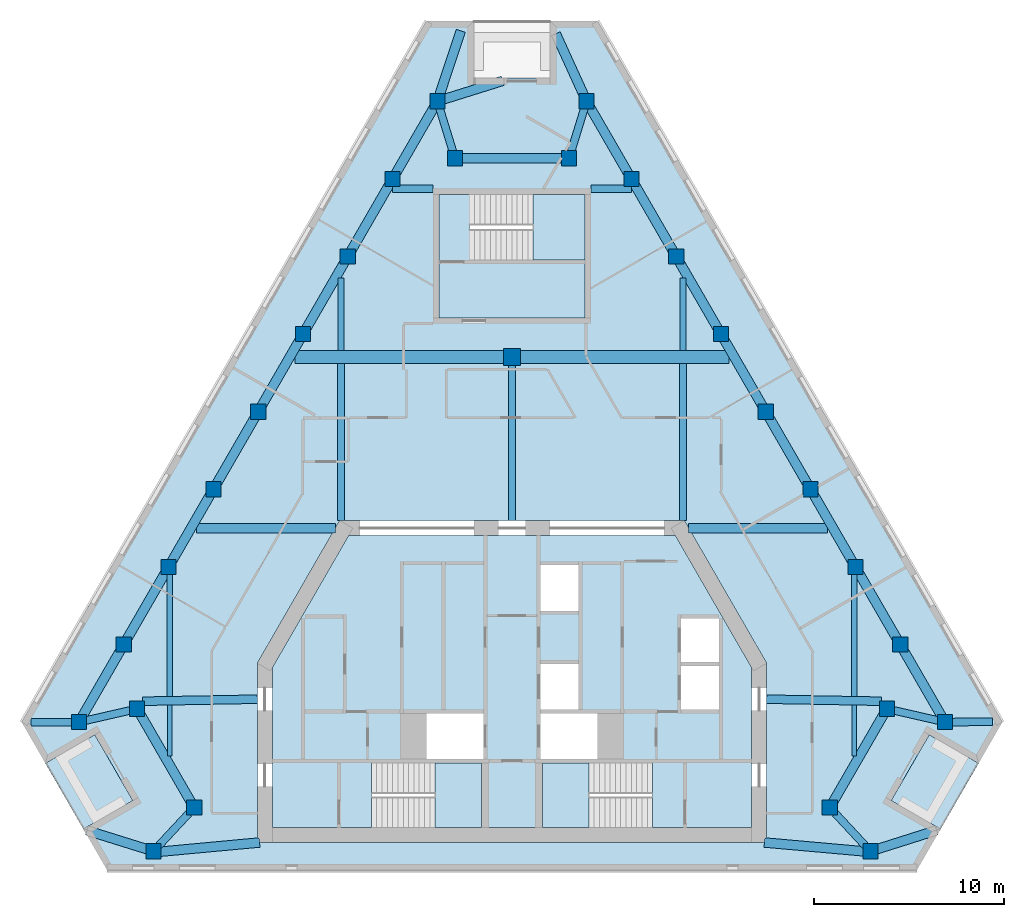
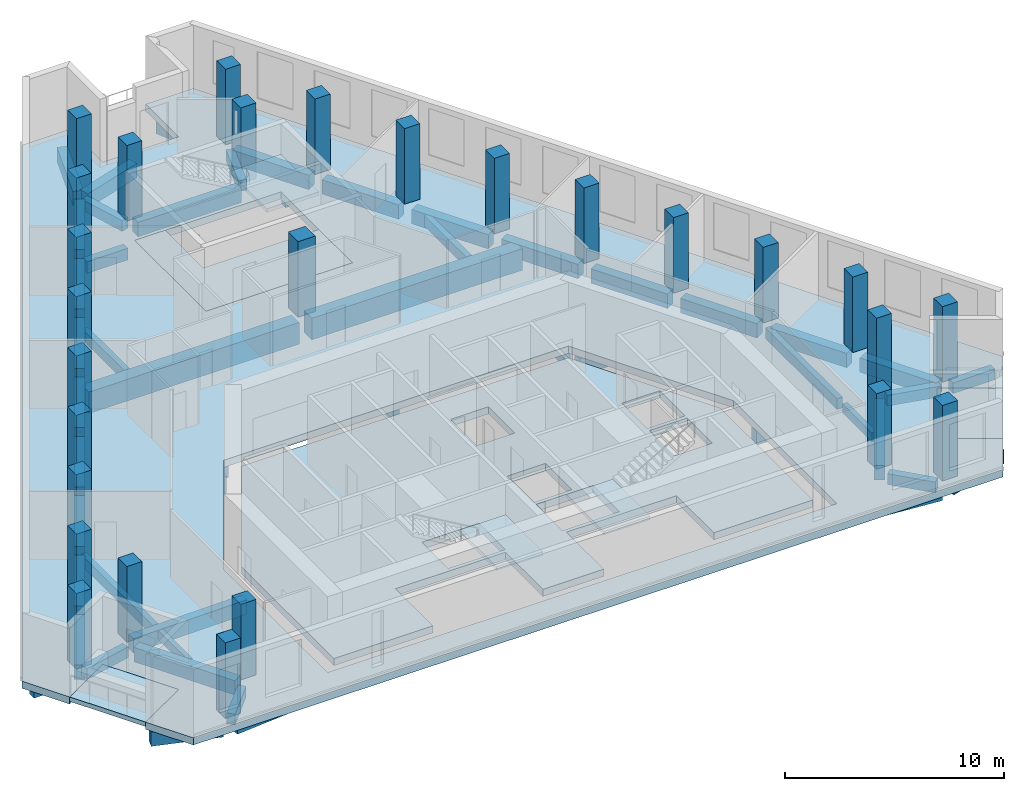
# One storey, part 1 of 8: 51 beams, 27 columns, 8 slabs, 3 elements without a shape of their own.
"""IFC4 building model written with IfcOpenShell, lengths in metres."""

from ifc_helpers import new_model, si_unit, direction, frame, origin, origin_2d, place, context, subcontext, project, spatial, polyline, rectangle, outline, extrude, material, layer, layer_set, material_profile, profile_set, type_object, element, aggregate, save


model = new_model("IFC4")

# Units and contexts
model_context = context("Model", 3, precision=1e-05, world=origin(), true_north=direction((0.0, 1.0)))
body_context = subcontext(model_context, "Body", "Model", "MODEL_VIEW")
ifc_project = project(units=[si_unit("LENGTHUNIT", "METRE"), si_unit("AREAUNIT", "SQUARE_METRE"), si_unit("VOLUMEUNIT", "CUBIC_METRE"), si_unit("PLANEANGLEUNIT", "RADIAN"), si_unit("MASSUNIT", "GRAM", prefix="KILO")], contexts=[model_context])

# Site, building, storey
site_placement = place(None, origin())
site = spatial("IfcSite", under=ifc_project, at=site_placement, CompositionType="ELEMENT")
building_placement = place(site_placement, origin())
building = spatial("IfcBuilding", under=site, at=building_placement, Name="Fogline Exchange Tower", CompositionType="ELEMENT")
storey_placement = place(building_placement, frame((0.0, 0.0, 270.89990234375)))
storey = spatial("IfcBuildingStorey", under=building, at=storey_placement, Name="L61", CompositionType="ELEMENT", Elevation=270.89990234375)

# Columns
ifc_material_1 = material(Name="Concrete C60", Category="concrete")
ifc_material_profile_1 = material_profile(ifc_material_1, rectangle(XDim=0.89990234375, YDim=0.89990234375, at=origin_2d()), Name="RC 900x900")
ifc_profile_set_1 = profile_set([ifc_material_profile_1], Name="Concrete C60")
column_type_1 = type_object("IfcColumnType", Name="C06", PredefinedType="COLUMN", material=ifc_profile_set_1)
column_placement = place(storey_placement, frame((0.0, 27.0, 0.0), z_axis=(0.0, 0.0, 1.0), x_axis=(1.0, 0.0, 0.0)))
element("IfcColumn", 1, at=column_placement, inside=storey, type_object=column_type_1, Name="IC-0-27", PredefinedType="COLUMN", context=body_context, shape_type="SweptSolid", body=[
    extrude(rectangle(XDim=0.89990234375, YDim=0.89990234375, at=origin_2d()), origin(), (0.0, 0.0, 1.0), 4.2001953125),
])
ifc_material_profile_2 = material_profile(ifc_material_1, rectangle(XDim=0.800048828125, YDim=0.800048828125, at=origin_2d()), Name="RC 800x800")
ifc_profile_set_2 = profile_set([ifc_material_profile_2], Name="Concrete C60")
column_type_2 = type_object("IfcColumnType", Name="C07", PredefinedType="COLUMN", material=ifc_profile_set_2)
for number, where, z_axis, x_axis, name in (
    (2, (-22.7802734375, 7.794189453125, 0.0), (0.0, 0.0, 1.0), (1.0, 0.0, 0.0), "SW-a"),
    (3, (-19.720947265625, 8.4951171875, 0.0), (0.0, 0.0, 1.0), (1.0, 0.0, 0.0), "SW-p4"),
    (4, (-16.720947265625, 3.299072265625, 0.0), (0.0, 0.0, 1.0), (1.0, 0.0, 0.0), "SW-p3"),
    (5, (-18.857666015625, 1.0, 0.0), (0.0, 0.0, 1.0), (1.0, 0.0, 0.0), "SW-b"),
    (6, (18.857666015625, 1.0, 0.0), (0.0, 0.0, 1.0), (1.0, 0.0, 0.0), "SE-a"),
    (7, (16.720947265625, 3.299072265625, 0.0), (0.0, 0.0, 1.0), (1.0, 0.0, 0.0), "SE-p4"),
    (8, (19.720947265625, 8.4951171875, 0.0), (0.0, 0.0, 1.0), (1.0, 0.0, 0.0), "SE-p3"),
    (9, (22.7802734375, 7.794189453125, 0.0), (0.0, 0.0, 1.0), (1.0, 0.0, 0.0), "SE-b"),
    (10, (20.423095703125, 11.876953125, 0.0), (0.0, 0.0, 1.0), (1.0, 0.0, 0.0), "E1"),
    (11, (18.06591796875, 15.959716796875, 0.0), (0.0, 0.0, 1.0), (1.0, 0.0, 0.0), "E2"),
    (12, (15.708740234375, 20.04248046875, 0.0), (0.0, 0.0, 1.0), (1.0, 0.0, 0.0), "E3"),
    (13, (13.3515625, 24.12548828125, 0.0), (0.0, 0.0, 1.0), (1.0, 0.0, 0.0), "E4"),
    (14, (10.994384765625, 28.208251953125, 0.0), (0.0, 0.0, 1.0), (1.0, 0.0, 0.0), "E5"),
    (15, (8.63720703125, 32.291015625, 0.0), (0.0, 0.0, 1.0), (1.0, 0.0, 0.0), "E6"),
    (16, (6.27978515625, 36.373779296875, 0.0), (0.0, 0.0, 1.0), (1.0, 0.0, 0.0), "E7"),
    (17, (3.922607421875, 40.456787109375, 0.0), (0.0, 0.0, 1.0), (1.0, 0.0, 0.0), "N-a"),
    (18, (3.0, 37.456787109375, 0.0), (0.0, 0.0, 1.0), (1.0, 0.0, 0.0), "N-p4"),
    (19, (-3.0, 37.456787109375, 0.0), (0.0, 0.0, 1.0), (1.0, 0.0, 0.0), "N-p3"),
    (20, (-3.922607421875, 40.456787109375, 0.0), (0.0, 0.0, 1.0), (1.0, 0.0, 0.0), "N-b"),
    (21, (-6.27978515625, 36.373779296875, 0.0), (0.0, 0.0, 1.0), (1.0, 0.0, 0.0), "W1"),
    (22, (-8.63720703125, 32.291015625, 0.0), (0.0, 0.0, 1.0), (1.0, 0.0, 0.0), "W2"),
    (23, (-10.994384765625, 28.208251953125, 0.0), (0.0, 0.0, 1.0), (1.0, 0.0, 0.0), "W3"),
    (24, (-13.3515625, 24.12548828125, 0.0), (0.0, 0.0, 1.0), (1.0, 0.0, 0.0), "W4"),
    (25, (-15.708740234375, 20.04248046875, 0.0), (0.0, 0.0, 1.0), (1.0, 0.0, 0.0), "W5"),
    (26, (-18.06591796875, 15.959716796875, 0.0), (0.0, 0.0, 1.0), (1.0, 0.0, 0.0), "W6"),
    (27, (-20.423095703125, 11.876953125, 0.0), (0.0, 0.0, 1.0), (1.0, 0.0, 0.0), "W7"),
):
    element("IfcColumn", number, at=place(storey_placement, frame(where, z_axis=z_axis, x_axis=x_axis)), inside=storey, type_object=column_type_2, Name=name, PredefinedType="COLUMN", context=body_context, shape_type="SweptSolid", body=[
        extrude(rectangle(XDim=0.800048828125, YDim=0.800048828125, at=origin_2d()), origin(), (0.0, 0.0, 1.0), 4.2001953125),
    ])

# Beams
ifc_material_2 = material(Name="Concrete C40", Category="concrete")
ifc_material_profile_3 = material_profile(ifc_material_2, rectangle(XDim=0.300048828125, YDim=0.60009765625, at=origin_2d()), Name="RC 300x600")
ifc_profile_set_3 = profile_set([ifc_material_profile_3], Name="Concrete C40")
beam_type_1 = type_object("IfcBeamType", Name="B06", PredefinedType="BEAM", material=ifc_profile_set_3)
beam_1_placement = place(storey_placement, frame((-18.0, 9.1435546875, -0.699951171875), z_axis=(0.0, 1.0, 0.0), x_axis=(-1.0, 0.0, 0.0)))
element("IfcBeam", 28, at=beam_1_placement, inside=storey, type_object=beam_type_1, Name="SB002", PredefinedType="BEAM", context=body_context, shape_type="SweptSolid", body=[
    extrude(rectangle(XDim=0.300048828125, YDim=0.60009765625, at=origin_2d()), origin(), (0.0, 0.0, 1.0), 6.5361328125),
])
for number, where, z_axis, x_axis, name in (
    (29, (-9.0, 27.35009765625, -0.699951171875), (0.0, 1.0, 0.0), (-1.0, 0.0, 0.0), "SB004"),
    (30, (9.0, 27.35009765625, -0.699951171875), (0.0, 1.0, 0.0), (-1.0, 0.0, 0.0), "SB007"),
):
    element("IfcBeam", number, at=place(storey_placement, frame(where, z_axis=z_axis, x_axis=x_axis)), inside=storey, type_object=beam_type_1, Name=name, PredefinedType="BEAM", context=body_context, shape_type="SweptSolid", body=[
        extrude(rectangle(XDim=0.300048828125, YDim=0.60009765625, at=origin_2d()), origin(), (0.0, 0.0, 1.0), 3.812255859375),
    ])
beam_2_placement = place(storey_placement, frame((18.0, 9.1435546875, -0.699951171875), z_axis=(0.0, 1.0, 0.0), x_axis=(-1.0, 0.0, 0.0)))
element("IfcBeam", 31, at=beam_2_placement, inside=storey, type_object=beam_type_1, Name="SB009", PredefinedType="BEAM", context=body_context, shape_type="SweptSolid", body=[
    extrude(rectangle(XDim=0.300048828125, YDim=0.60009765625, at=origin_2d()), origin(), (0.0, 0.0, 1.0), 6.5361328125),
])
ifc_material_profile_4 = material_profile(ifc_material_2, rectangle(XDim=0.25, YDim=0.5, at=origin_2d()), Name="RC 250x500")
ifc_profile_set_4 = profile_set([ifc_material_profile_4], Name="Concrete C40")
beam_type_2 = type_object("IfcBeamType", Name="B08", PredefinedType="BEAM", material=ifc_profile_set_4)
for number, where, z_axis, x_axis, name in (
    (32, (-18.0, 6.014404296875, -0.64990234375), (0.0, 1.0, 0.0), (-1.0, 0.0, 0.0), "SB001"),
    (33, (18.0, 6.014404296875, -0.64990234375), (0.0, 1.0, 0.0), (-1.0, 0.0, 0.0), "SB008"),
):
    element("IfcBeam", number, at=place(storey_placement, frame(where, z_axis=z_axis, x_axis=x_axis)), inside=storey, type_object=beam_type_2, Name=name, PredefinedType="BEAM", context=body_context, shape_type="SweptSolid", body=[
        extrude(rectangle(XDim=0.25, YDim=0.5, at=origin_2d()), origin(), (0.0, 0.0, 1.0), 2.67919921875),
    ])
ifc_material_profile_5 = material_profile(ifc_material_2, rectangle(XDim=0.5, YDim=0.800048828125, at=origin_2d()), Name="RC 500x800")
ifc_profile_set_5 = profile_set([ifc_material_profile_5], Name="Concrete C40")
beam_type_3 = type_object("IfcBeamType", Name="B10", PredefinedType="BEAM", material=ifc_profile_set_5)
beam_3_placement = place(storey_placement, frame((-19.550048828125, 8.19921875, -0.7998046875), z_axis=(0.500011318533, -0.866018868928, 0.0), x_axis=(0.866018868928, 0.500011318533, 0.0)))
element("IfcBeam", 34, at=beam_3_placement, inside=storey, type_object=beam_type_3, Name="RB002", PredefinedType="BEAM", context=body_context, shape_type="SweptSolid", body=[
    extrude(rectangle(XDim=0.5, YDim=0.800048828125, at=origin_2d()), origin(), (0.0, 0.0, 1.0), 5.31640625),
])
beam_4_placement = place(storey_placement, frame((-18.5771484375, 0.970703125, -0.7998046875), z_axis=(0.995739815684, 0.092207480512, 0.0), x_axis=(-0.092207480512, 0.995739815684, 0.0)))
element("IfcBeam", 35, at=beam_4_placement, inside=storey, type_object=beam_type_3, Name="RB004", PredefinedType="BEAM", context=body_context, shape_type="SweptSolid", body=[
    extrude(rectangle(XDim=0.5, YDim=0.800048828125, at=origin_2d()), origin(), (0.0, 0.0, 1.0), 5.3193359375),
])
beam_5_placement = place(storey_placement, frame((13.280517578125, 1.460693359375, -0.7998046875), z_axis=(0.996066339578, -0.088610649246, 0.0), x_axis=(0.088610649246, 0.996066339578, 0.0)))
element("IfcBeam", 36, at=beam_5_placement, inside=storey, type_object=beam_type_3, Name="RB005", PredefinedType="BEAM", context=body_context, shape_type="SweptSolid", body=[
    extrude(rectangle(XDim=0.5, YDim=0.800048828125, at=origin_2d()), origin(), (0.0, 0.0, 1.0), 5.317626953125),
])
beam_6_placement = place(storey_placement, frame((16.891845703125, 3.59521484375, -0.7998046875), z_axis=(0.500011318533, 0.866018868928, 0.0), x_axis=(-0.866018868928, 0.500011318533, 0.0)))
element("IfcBeam", 37, at=beam_6_placement, inside=storey, type_object=beam_type_3, Name="RB007", PredefinedType="BEAM", context=body_context, shape_type="SweptSolid", body=[
    extrude(rectangle(XDim=0.5, YDim=0.800048828125, at=origin_2d()), origin(), (0.0, 0.0, 1.0), 5.31640625),
])
for number, where, z_axis, x_axis, name in (
    (38, (22.609375, 8.09033203125, -0.7998046875), (-0.500002082887, 0.866024201226, 0.0), (-0.866024201226, -0.500002082887, 0.0), "RB009"),
    (39, (20.252197265625, 12.173095703125, -0.7998046875), (-0.500002082887, 0.866024201226, 0.0), (-0.866024201226, -0.500002082887, 0.0), "RB010"),
    (40, (17.89501953125, 16.255859375, -0.7998046875), (-0.500002082887, 0.866024201226, 0.0), (-0.866024201226, -0.500002082887, 0.0), "RB011"),
):
    element("IfcBeam", number, at=place(storey_placement, frame(where, z_axis=z_axis, x_axis=x_axis)), inside=storey, type_object=beam_type_3, Name=name, PredefinedType="BEAM", context=body_context, shape_type="SweptSolid", body=[
        extrude(rectangle(XDim=0.5, YDim=0.800048828125, at=origin_2d()), origin(), (0.0, 0.0, 1.0), 4.03076171875),
    ])
for number, where, z_axis, x_axis, name in (
    (41, (15.53759765625, 20.338623046875, -0.7998046875), (-0.499956653746, 0.866050428309, 0.0), (-0.866050428309, -0.499956653746, 0.0), "RB012"),
    (42, (13.180419921875, 24.42138671875, -0.7998046875), (-0.499956653746, 0.866050428309, 0.0), (-0.866050428309, -0.499956653746, 0.0), "RB013"),
    (43, (10.8232421875, 28.50439453125, -0.7998046875), (-0.499956653746, 0.866050428309, 0.0), (-0.866050428309, -0.499956653746, 0.0), "RB014"),
):
    element("IfcBeam", number, at=place(storey_placement, frame(where, z_axis=z_axis, x_axis=x_axis)), inside=storey, type_object=beam_type_3, Name=name, PredefinedType="BEAM", context=body_context, shape_type="SweptSolid", body=[
        extrude(rectangle(XDim=0.5, YDim=0.800048828125, at=origin_2d()), origin(), (0.0, 0.0, 1.0), 4.030517578125),
    ])
for number, where, z_axis, x_axis, name in (
    (44, (8.466064453125, 32.587158203125, -0.7998046875), (-0.500002082887, 0.866024201226, 0.0), (-0.866024201226, -0.500002082887, 0.0), "RB015"),
    (45, (6.10888671875, 36.669921875, -0.7998046875), (-0.500002082887, 0.866024201226, 0.0), (-0.866024201226, -0.500002082887, 0.0), "RB016"),
):
    element("IfcBeam", number, at=place(storey_placement, frame(where, z_axis=z_axis, x_axis=x_axis)), inside=storey, type_object=beam_type_3, Name=name, PredefinedType="BEAM", context=body_context, shape_type="SweptSolid", body=[
        extrude(rectangle(XDim=0.5, YDim=0.800048828125, at=origin_2d()), origin(), (0.0, 0.0, 1.0), 4.03076171875),
    ])
beam_7_placement = place(storey_placement, frame((2.719970703125, 37.456787109375, -0.7998046875), z_axis=(-1.0, 0.0, 0.0), x_axis=(0.0, -1.0, 0.0)))
element("IfcBeam", 46, at=beam_7_placement, inside=storey, type_object=beam_type_3, Name="RB018", PredefinedType="BEAM", context=body_context, shape_type="SweptSolid", body=[
    extrude(rectangle(XDim=0.5, YDim=0.800048828125, at=origin_2d()), origin(), (0.0, 0.0, 1.0), 5.43994140625),
])
for number, where, z_axis, x_axis, name in (
    (47, (-4.093505859375, 40.16064453125, -0.7998046875), (-0.500002082887, -0.866024201226, 0.0), (0.866024201226, -0.500002082887, 0.0), "RB020"),
    (48, (-6.45068359375, 36.077880859375, -0.7998046875), (-0.500002082887, -0.866024201226, 0.0), (0.866024201226, -0.500002082887, 0.0), "RB021"),
):
    element("IfcBeam", number, at=place(storey_placement, frame(where, z_axis=z_axis, x_axis=x_axis)), inside=storey, type_object=beam_type_3, Name=name, PredefinedType="BEAM", context=body_context, shape_type="SweptSolid", body=[
        extrude(rectangle(XDim=0.5, YDim=0.800048828125, at=origin_2d()), origin(), (0.0, 0.0, 1.0), 4.03076171875),
    ])
for number, where, z_axis, x_axis, name in (
    (49, (-8.80810546875, 31.9951171875, -0.7998046875), (-0.499956653746, -0.866050428309, 0.0), (0.866050428309, -0.499956653746, 0.0), "RB022"),
    (50, (-11.165283203125, 27.912109375, -0.7998046875), (-0.499956653746, -0.866050428309, 0.0), (0.866050428309, -0.499956653746, 0.0), "RB023"),
    (51, (-13.5224609375, 23.829345703125, -0.7998046875), (-0.499956653746, -0.866050428309, 0.0), (0.866050428309, -0.499956653746, 0.0), "RB024"),
):
    element("IfcBeam", number, at=place(storey_placement, frame(where, z_axis=z_axis, x_axis=x_axis)), inside=storey, type_object=beam_type_3, Name=name, PredefinedType="BEAM", context=body_context, shape_type="SweptSolid", body=[
        extrude(rectangle(XDim=0.5, YDim=0.800048828125, at=origin_2d()), origin(), (0.0, 0.0, 1.0), 4.030517578125),
    ])
for number, where, z_axis, x_axis, name in (
    (52, (-15.879638671875, 19.74658203125, -0.7998046875), (-0.500002082887, -0.866024201226, 0.0), (0.866024201226, -0.500002082887, 0.0), "RB025"),
    (53, (-18.23681640625, 15.663818359375, -0.7998046875), (-0.500002082887, -0.866024201226, 0.0), (0.866024201226, -0.500002082887, 0.0), "RB026"),
    (54, (-20.593994140625, 11.5810546875, -0.7998046875), (-0.500002082887, -0.866024201226, 0.0), (0.866024201226, -0.500002082887, 0.0), "RB027"),
):
    element("IfcBeam", number, at=place(storey_placement, frame(where, z_axis=z_axis, x_axis=x_axis)), inside=storey, type_object=beam_type_3, Name=name, PredefinedType="BEAM", context=body_context, shape_type="SweptSolid", body=[
        extrude(rectangle(XDim=0.5, YDim=0.800048828125, at=origin_2d()), origin(), (0.0, 0.0, 1.0), 4.03076171875),
    ])
beam_8_placement = place(storey_placement, frame((3.790283203125, 40.747314453125, -0.7998046875), z_axis=(-0.414547672788, 0.910027596827, 0.0), x_axis=(-0.910027596827, -0.414547672788, 0.0)))
element("IfcBeam", 55, at=beam_8_placement, inside=storey, type_object=beam_type_3, Name="SP028", PredefinedType="BEAM", context=body_context, shape_type="SweptSolid", body=[
    extrude(rectangle(XDim=0.5, YDim=0.800048828125, at=origin_2d()), origin(), (0.0, 0.0, 1.0), 3.580810546875),
])
beam_9_placement = place(storey_placement, frame((-3.827880859375, 40.742919921875, -0.7998046875), z_axis=(0.314884052228, 0.949130145793, 0.0), x_axis=(-0.949130145793, 0.314884052228, 0.0)))
element("IfcBeam", 56, at=beam_9_placement, inside=storey, type_object=beam_type_3, Name="SP029", PredefinedType="BEAM", context=body_context, shape_type="SweptSolid", body=[
    extrude(rectangle(XDim=0.5, YDim=0.800048828125, at=origin_2d()), origin(), (0.0, 0.0, 1.0), 3.598388671875),
])
beam_10_placement = place(storey_placement, frame((19.143310546875, 1.09033203125, -0.7998046875), z_axis=(0.953330716542, 0.301928045893, 0.0), x_axis=(-0.301928045893, 0.953330716542, 0.0)))
element("IfcBeam", 57, at=beam_10_placement, inside=storey, type_object=beam_type_3, Name="SP030", PredefinedType="BEAM", context=body_context, shape_type="SweptSolid", body=[
    extrude(rectangle(XDim=0.5, YDim=0.800048828125, at=origin_2d()), origin(), (0.0, 0.0, 1.0), 3.358154296875),
])
beam_11_placement = place(storey_placement, frame((-19.14306640625, 1.089111328125, -0.7998046875), z_axis=(-0.95464851982, 0.297735123231, 0.0), x_axis=(-0.297735123231, -0.95464851982, 0.0)))
element("IfcBeam", 58, at=beam_11_placement, inside=storey, type_object=beam_type_3, Name="SP031", PredefinedType="BEAM", context=body_context, shape_type="SweptSolid", body=[
    extrude(rectangle(XDim=0.5, YDim=0.800048828125, at=origin_2d()), origin(), (0.0, 0.0, 1.0), 3.37353515625),
])
beam_12_placement = place(storey_placement, frame((-3.63720703125, 40.546142578125, -0.7998046875), z_axis=(0.954270342063, 0.298945002063, 0.0), x_axis=(-0.298945002063, 0.954270342063, 0.0)))
element("IfcBeam", 59, at=beam_12_placement, inside=storey, type_object=beam_type_3, Name="SP034", PredefinedType="BEAM", context=body_context, shape_type="SweptSolid", body=[
    extrude(rectangle(XDim=0.5, YDim=0.800048828125, at=origin_2d()), origin(), (0.0, 0.0, 1.0), 3.298583984375),
])
ifc_material_profile_6 = material_profile(ifc_material_2, rectangle(XDim=0.39990234375, YDim=0.60009765625, at=origin_2d()), Name="RC 400x600")
ifc_profile_set_6 = profile_set([ifc_material_profile_6], Name="Concrete C40")
beam_type_4 = type_object("IfcBeamType", Name="B11", PredefinedType="BEAM", material=ifc_profile_set_6)
beam_13_placement = place(storey_placement, frame((-22.497314453125, 7.859130859375, -0.699951171875), z_axis=(0.974742274944, 0.223332705705, 0.0), x_axis=(-0.223332705705, 0.974742274944, 0.0)))
element("IfcBeam", 60, at=beam_13_placement, inside=storey, type_object=beam_type_4, Name="RB001", PredefinedType="BEAM", context=body_context, shape_type="SweptSolid", body=[
    extrude(rectangle(XDim=0.39990234375, YDim=0.60009765625, at=origin_2d()), origin(), (0.0, 0.0, 1.0), 2.55810546875),
])
for number, where, z_axis, x_axis, name in (
    (61, (-17.010986328125, 2.98681640625, -0.699951171875), (-0.680795043466, -0.732473964583, 0.0), (0.732473964583, -0.680795043466, 0.0), "RB003"),
    (62, (18.567626953125, 1.31201171875, -0.699951171875), (-0.680795043466, 0.732473964583, 0.0), (-0.732473964583, -0.680795043466, 0.0), "RB006"),
):
    element("IfcBeam", number, at=place(storey_placement, frame(where, z_axis=z_axis, x_axis=x_axis)), inside=storey, type_object=beam_type_4, Name=name, PredefinedType="BEAM", context=body_context, shape_type="SweptSolid", body=[
        extrude(rectangle(XDim=0.39990234375, YDim=0.60009765625, at=origin_2d()), origin(), (0.0, 0.0, 1.0), 2.28662109375),
    ])
beam_14_placement = place(storey_placement, frame((20.00390625, 8.430419921875, -0.699951171875), z_axis=(0.974742274944, -0.223332705705, 0.0), x_axis=(0.223332705705, 0.974742274944, 0.0)))
element("IfcBeam", 63, at=beam_14_placement, inside=storey, type_object=beam_type_4, Name="RB008", PredefinedType="BEAM", context=body_context, shape_type="SweptSolid", body=[
    extrude(rectangle(XDim=0.39990234375, YDim=0.60009765625, at=origin_2d()), origin(), (0.0, 0.0, 1.0), 2.55810546875),
])
for number, where, z_axis, x_axis, name in (
    (64, (3.8349609375, 40.17138671875, -0.699951171875), (-0.294011603251, -0.955801850361, 0.0), (0.955801850361, -0.294011603251, 0.0), "RB017"),
    (65, (-3.087646484375, 37.741943359375, -0.699951171875), (-0.294011603251, 0.955801850361, 0.0), (-0.955801850361, -0.294011603251, 0.0), "RB019"),
):
    element("IfcBeam", number, at=place(storey_placement, frame(where, z_axis=z_axis, x_axis=x_axis)), inside=storey, type_object=beam_type_4, Name=name, PredefinedType="BEAM", context=body_context, shape_type="SweptSolid", body=[
        extrude(rectangle(XDim=0.39990234375, YDim=0.60009765625, at=origin_2d()), origin(), (0.0, 0.0, 1.0), 2.541748046875),
    ])
beam_15_placement = place(storey_placement, frame((-23.060302734375, 7.794189453125, -0.699951171875), z_axis=(-1.0, 0.0, 0.0), x_axis=(0.0, -1.0, 0.0)))
element("IfcBeam", 66, at=beam_15_placement, inside=storey, type_object=beam_type_4, Name="SP032", PredefinedType="BEAM", context=body_context, shape_type="SweptSolid", body=[
    extrude(rectangle(XDim=0.39990234375, YDim=0.60009765625, at=origin_2d()), origin(), (0.0, 0.0, 1.0), 2.23681640625),
])
beam_16_placement = place(storey_placement, frame((23.060302734375, 7.796142578125, -0.699951171875), z_axis=(0.999974552329, 0.007134051795, 0.0), x_axis=(-0.007134051795, 0.999974552329, 0.0)))
element("IfcBeam", 67, at=beam_16_placement, inside=storey, type_object=beam_type_4, Name="SP033", PredefinedType="BEAM", context=body_context, shape_type="SweptSolid", body=[
    extrude(rectangle(XDim=0.39990234375, YDim=0.60009765625, at=origin_2d()), origin(), (0.0, 0.0, 1.0), 2.224365234375),
])
ifc_material_profile_7 = material_profile(ifc_material_2, rectangle(XDim=0.39990234375, YDim=0.64990234375, at=origin_2d()), Name="RC 400x650")
ifc_profile_set_7 = profile_set([ifc_material_profile_7], Name="Concrete C40")
beam_type_5 = type_object("IfcBeamType", Name="B13", PredefinedType="BEAM", material=ifc_profile_set_7)
for number, where, z_axis, x_axis, name in (
    (68, (-6.28955078125, 35.85693359375, -0.724853515625), (1.0, 0.0, 0.0), (0.0, 1.0, 0.0), "GB007"),
    (69, (4.14990234375, 35.85693359375, -0.724853515625), (1.0, 0.0, 0.0), (0.0, 1.0, 0.0), "GB008"),
):
    element("IfcBeam", number, at=place(storey_placement, frame(where, z_axis=z_axis, x_axis=x_axis)), inside=storey, type_object=beam_type_5, Name=name, PredefinedType="BEAM", context=body_context, shape_type="SweptSolid", body=[
        extrude(rectangle(XDim=0.39990234375, YDim=0.64990234375, at=origin_2d()), origin(), (0.0, 0.0, 1.0), 2.1396484375),
    ])
ifc_material_profile_8 = material_profile(ifc_material_2, rectangle(XDim=0.5, YDim=0.949951171875, at=origin_2d()), Name="RC 500x950")
ifc_profile_set_8 = profile_set([ifc_material_profile_8], Name="Concrete C40")
beam_type_6 = type_object("IfcBeamType", Name="B14", PredefinedType="BEAM", material=ifc_profile_set_8)
for number, where, z_axis, x_axis, name in (
    (70, (-16.599365234375, 18.0, -0.875), (1.0, 0.0, 0.0), (0.0, 1.0, 0.0), "GB003"),
    (71, (9.296142578125, 18.0, -0.875), (1.0, 0.0, 0.0), (0.0, 1.0, 0.0), "GB004"),
):
    element("IfcBeam", number, at=place(storey_placement, frame(where, z_axis=z_axis, x_axis=x_axis)), inside=storey, type_object=beam_type_6, Name=name, PredefinedType="BEAM", context=body_context, shape_type="SweptSolid", body=[
        extrude(rectangle(XDim=0.5, YDim=0.949951171875, at=origin_2d()), origin(), (0.0, 0.0, 1.0), 7.30322265625),
    ])
ifc_material_profile_9 = material_profile(ifc_material_2, rectangle(XDim=0.35009765625, YDim=0.64990234375, at=origin_2d()), Name="RC 350x650")
ifc_profile_set_9 = profile_set([ifc_material_profile_9], Name="Concrete C40")
beam_type_7 = type_object("IfcBeamType", Name="B16", PredefinedType="BEAM", material=ifc_profile_set_9)
beam_17_placement = place(storey_placement, frame((-9.0, 18.39990234375, -0.724853515625), z_axis=(0.0, 1.0, 0.0), x_axis=(-1.0, 0.0, 0.0)))
element("IfcBeam", 72, at=beam_17_placement, inside=storey, type_object=beam_type_7, Name="SB003", PredefinedType="BEAM", context=body_context, shape_type="SweptSolid", body=[
    extrude(rectangle(XDim=0.35009765625, YDim=0.64990234375, at=origin_2d()), origin(), (0.0, 0.0, 1.0), 8.25),
])
beam_18_placement = place(storey_placement, frame((0.0, 18.39990234375, -0.724853515625), z_axis=(0.0, 1.0, 0.0), x_axis=(-1.0, 0.0, 0.0)))
element("IfcBeam", 73, at=beam_18_placement, inside=storey, type_object=beam_type_7, Name="SB005", PredefinedType="BEAM", context=body_context, shape_type="SweptSolid", body=[
    extrude(rectangle(XDim=0.35009765625, YDim=0.64990234375, at=origin_2d()), origin(), (0.0, 0.0, 1.0), 8.27001953125),
])
beam_19_placement = place(storey_placement, frame((9.0, 18.39990234375, -0.724853515625), z_axis=(0.0, 1.0, 0.0), x_axis=(-1.0, 0.0, 0.0)))
element("IfcBeam", 74, at=beam_19_placement, inside=storey, type_object=beam_type_7, Name="SB006", PredefinedType="BEAM", context=body_context, shape_type="SweptSolid", body=[
    extrude(rectangle(XDim=0.35009765625, YDim=0.64990234375, at=origin_2d()), origin(), (0.0, 0.0, 1.0), 8.25),
])
ifc_material_profile_10 = material_profile(ifc_material_2, rectangle(XDim=0.699951171875, YDim=1.199951171875, at=origin_2d()), Name="RC 700x1200")
ifc_profile_set_10 = profile_set([ifc_material_profile_10], Name="Concrete C40")
beam_type_8 = type_object("IfcBeamType", Name="B17", PredefinedType="BEAM", material=ifc_profile_set_10)
for number, where, z_axis, x_axis, name in (
    (75, (-11.4033203125, 27.0, -1.0), (1.0, 0.0, 0.0), (0.0, 1.0, 0.0), "GB005"),
    (76, (0.330078125, 27.0, -1.0), (1.0, 0.0, 0.0), (0.0, 1.0, 0.0), "GB006"),
):
    element("IfcBeam", number, at=place(storey_placement, frame(where, z_axis=z_axis, x_axis=x_axis)), inside=storey, type_object=beam_type_8, Name=name, PredefinedType="BEAM", context=body_context, shape_type="SweptSolid", body=[
        extrude(rectangle(XDim=0.699951171875, YDim=1.199951171875, at=origin_2d()), origin(), (0.0, 0.0, 1.0), 11.0732421875),
    ])
ifc_material_profile_11 = material_profile(ifc_material_2, rectangle(XDim=0.449951171875, YDim=0.800048828125, at=origin_2d()), Name="RC 450x800")
ifc_profile_set_11 = profile_set([ifc_material_profile_11], Name="Concrete C40")
beam_type_9 = type_object("IfcBeamType", Name="B18", PredefinedType="BEAM", material=ifc_profile_set_11)
for number, where, z_axis, x_axis, name in (
    (77, (-19.44091796875, 8.89306640625, -0.7998046875), (0.999843369488, 0.017698488354, 0.0), (-0.017698488354, 0.999843369488, 0.0), "GB001"),
    (78, (13.39990234375, 9.0, -0.7998046875), (0.999843369488, -0.017698488354, 0.0), (0.017698488354, 0.999843369488, 0.0), "GB002"),
):
    element("IfcBeam", number, at=place(storey_placement, frame(where, z_axis=z_axis, x_axis=x_axis)), inside=storey, type_object=beam_type_9, Name=name, PredefinedType="BEAM", context=body_context, shape_type="SweptSolid", body=[
        extrude(rectangle(XDim=0.449951171875, YDim=0.800048828125, at=origin_2d()), origin(), (0.0, 0.0, 1.0), 6.0419921875),
    ])

# Slabs
ifc_layer_1 = layer(ifc_material_2, 0.25)
ifc_layer_set_1 = layer_set([ifc_layer_1], Name="DK1")
slab_type_1 = type_object("IfcSlabType", Name="DK1", PredefinedType="FLOOR", material=ifc_layer_set_1)
slab_1_placement = place(storey_placement, frame((0.0, 0.0, -0.25)))
element("IfcSlab", 79, at=slab_1_placement, inside=storey, type_object=slab_type_1, Name="Balcony L61 SW", PredefinedType="FLOOR", context=body_context, shape_type="SweptSolid", body=[
    extrude(outline(polyline([(-24.547119140625, 5.629150390625), (-22.547119140625, 2.1650390625), (-19.948974609375, 3.6650390625), (-21.948974609375, 7.129150390625), (-24.547119140625, 5.629150390625)])), origin(), (0.0, 0.0, 1.0), 0.25),
])
slab_2_placement = place(storey_placement, frame((0.0, 0.0, -0.25)))
element("IfcSlab", 80, at=slab_2_placement, inside=storey, type_object=slab_type_1, Name="Balcony L61 SE", PredefinedType="FLOOR", context=body_context, shape_type="SweptSolid", body=[
    extrude(outline(polyline([(22.547119140625, 2.1650390625), (24.547119140625, 5.629150390625), (21.948974609375, 7.129150390625), (19.948974609375, 3.6650390625), (22.547119140625, 2.1650390625)])), origin(), (0.0, 0.0, 1.0), 0.25),
])
ifc_layer_2 = layer(ifc_material_2, 0.39990234375)
ifc_layer_set_2 = layer_set([ifc_layer_2], Name="S03")
slab_type_2 = type_object("IfcSlabType", Name="S03", PredefinedType="FLOOR", material=ifc_layer_set_2)
slab_3_placement = place(storey_placement, frame((0.0, 0.0, -0.39990234375)))
element("IfcSlab", 81, at=slab_3_placement, inside=storey, type_object=slab_type_2, Name="SLAB L61", PredefinedType="FLOOR", context=body_context, shape_type="SweptSolid", body=[
    extrude(outline(polyline([(-2.0, 44.681640625), (-4.5, 44.681640625), (-25.797119140625, 7.794189453125), (-24.547119140625, 5.629150390625), (-21.948974609375, 7.129150390625), (-19.948974609375, 3.6650390625), (-22.547119140625, 2.1650390625), (-21.297119140625, 0.0), (21.297119140625, 0.0), (22.547119140625, 2.1650390625), (19.948974609375, 3.6650390625), (21.948974609375, 7.129150390625), (24.547119140625, 5.629150390625), (25.797119140625, 7.794189453125), (4.5, 44.681640625), (2.0, 44.681640625), (2.0, 41.681640625), (-2.0, 41.681640625), (-2.0, 44.681640625)]), holes=[polyline([(13.39990234375, 10.891845703125), (13.39990234375, 1.449951171875), (-13.39990234375, 1.449951171875), (-13.39990234375, 10.891845703125), (-9.065185546875, 18.39990234375), (9.065185546875, 18.39990234375), (13.39990234375, 10.891845703125)]), polyline([(3.85009765625, 35.556884765625), (3.85009765625, 29.056884765625), (-3.85009765625, 29.056884765625), (-3.85009765625, 35.556884765625), (3.85009765625, 35.556884765625)])]), origin(), (0.0, 0.0, 1.0), 0.39990234375),
])
slab_4_placement = place(storey_placement, frame((0.0, 0.0, -0.39990234375)))
element("IfcSlab", 82, at=slab_4_placement, inside=storey, type_object=slab_type_2, Name="Core floor slab", PredefinedType="FLOOR", context=body_context, shape_type="SweptSolid", body=[
    extrude(outline(polyline([(-12.60009765625, 2.25), (-12.60009765625, 10.677490234375), (-8.603271484375, 17.60009765625), (8.603271484375, 17.60009765625), (12.60009765625, 10.677490234375), (12.60009765625, 2.25), (7.389892578125, 2.25), (7.389892578125, 5.64990234375), (1.60009765625, 5.64990234375), (1.60009765625, 2.25), (-1.60009765625, 2.25), (-1.60009765625, 5.64990234375), (-7.389892578125, 5.64990234375), (-7.389892578125, 2.25), (-12.60009765625, 2.25)]), holes=[polyline([(-4.5, 8.25), (-4.5, 5.85009765625), (-1.5, 5.85009765625), (-1.5, 8.25), (-4.5, 8.25)]), polyline([(1.5, 8.25), (1.5, 5.85009765625), (4.5, 5.85009765625), (4.5, 8.25), (1.5, 8.25)]), polyline([(8.89990234375, 10.75), (8.89990234375, 8.449951171875), (10.89990234375, 8.449951171875), (10.89990234375, 10.75), (8.89990234375, 10.75)]), polyline([(1.5, 10.85009765625), (1.5, 8.449951171875), (3.5, 8.449951171875), (3.5, 10.85009765625), (1.5, 10.85009765625)]), polyline([(8.89990234375, 13.25), (8.89990234375, 10.949951171875), (10.89990234375, 10.949951171875), (10.89990234375, 13.25), (8.89990234375, 13.25)]), polyline([(1.5, 16.050048828125), (1.5, 13.64990234375), (3.5, 13.64990234375), (3.5, 16.050048828125), (1.5, 16.050048828125)])]), origin(), (0.0, 0.0, 1.0), 0.39990234375),
])
slab_5_placement = place(storey_placement, frame((0.0, 0.0, -0.39990234375)))
element("IfcSlab", 83, at=slab_5_placement, inside=storey, type_object=slab_type_2, Name="Stair enclosure floor slab", PredefinedType="FLOOR", context=body_context, shape_type="SweptSolid", body=[
    extrude(outline(polyline([(3.85009765625, 29.056884765625), (-3.85009765625, 29.056884765625), (-3.85009765625, 35.556884765625), (-2.239990234375, 35.556884765625), (-2.239990234375, 32.10693359375), (3.85009765625, 32.10693359375), (3.85009765625, 29.056884765625)])), origin(), (0.0, 0.0, 1.0), 0.39990234375),
])

# Stair, slab
stair_type = type_object("IfcStairType", Name="STR26-1615", PredefinedType="HALF_TURN_STAIR", material=ifc_material_2)
stair_1_placement = place(storey_placement, origin())
stair_1 = element("IfcStair", 84, at=stair_1_placement, inside=storey, type_object=stair_type, Name="Stair ST1", PredefinedType="HALF_TURN_STAIR")
ifc_layer_3 = layer(ifc_material_2, 0.199951171875)
ifc_layer_set_3 = layer_set([ifc_layer_3], Name="SL200")
slab_type_3 = type_object("IfcSlabType", Name="SL200", PredefinedType="LANDING", material=ifc_layer_set_3)
slab_6_placement = place(storey_placement, frame((0.0, 0.0, 1.900146484375)))
slab_6 = element("IfcSlab", 85, at=slab_6_placement, type_object=slab_type_3, Name="ST1 landing 1", PredefinedType="LANDING", context=body_context, shape_type="SweptSolid", body=[
    extrude(outline(polyline([(-4.0400390625, 2.25), (-1.60009765625, 2.25), (-1.60009765625, 5.64990234375), (-4.0400390625, 5.64990234375), (-4.0400390625, 2.25)])), origin(), (0.0, 0.0, 1.0), 0.199951171875),
])
aggregate(stair_1, [slab_6])

stair_2_placement = place(storey_placement, origin())
stair_2 = element("IfcStair", 86, at=stair_2_placement, inside=storey, type_object=stair_type, Name="Stair ST2", PredefinedType="HALF_TURN_STAIR")
slab_7_placement = place(storey_placement, frame((0.0, 0.0, 1.900146484375)))
slab_7 = element("IfcSlab", 87, at=slab_7_placement, type_object=slab_type_3, Name="ST2 landing 1", PredefinedType="LANDING", context=body_context, shape_type="SweptSolid", body=[
    extrude(outline(polyline([(1.60009765625, 2.25), (4.0400390625, 2.25), (4.0400390625, 5.64990234375), (1.60009765625, 5.64990234375), (1.60009765625, 2.25)])), origin(), (0.0, 0.0, 1.0), 0.199951171875),
])
aggregate(stair_2, [slab_7])

stair_3_placement = place(storey_placement, origin())
stair_3 = element("IfcStair", 88, at=stair_3_placement, inside=storey, type_object=stair_type, Name="Stair ST3", PredefinedType="HALF_TURN_STAIR")
slab_8_placement = place(storey_placement, frame((0.0, 0.0, 1.900146484375)))
slab_8 = element("IfcSlab", 89, at=slab_8_placement, type_object=slab_type_3, Name="ST3 landing 1", PredefinedType="LANDING", context=body_context, shape_type="SweptSolid", body=[
    extrude(outline(polyline([(1.110107421875, 32.10693359375), (3.85009765625, 32.10693359375), (3.85009765625, 35.556884765625), (1.110107421875, 35.556884765625), (1.110107421875, 32.10693359375)])), origin(), (0.0, 0.0, 1.0), 0.199951171875),
])
aggregate(stair_3, [slab_8])

save(model, "model.ifc")
